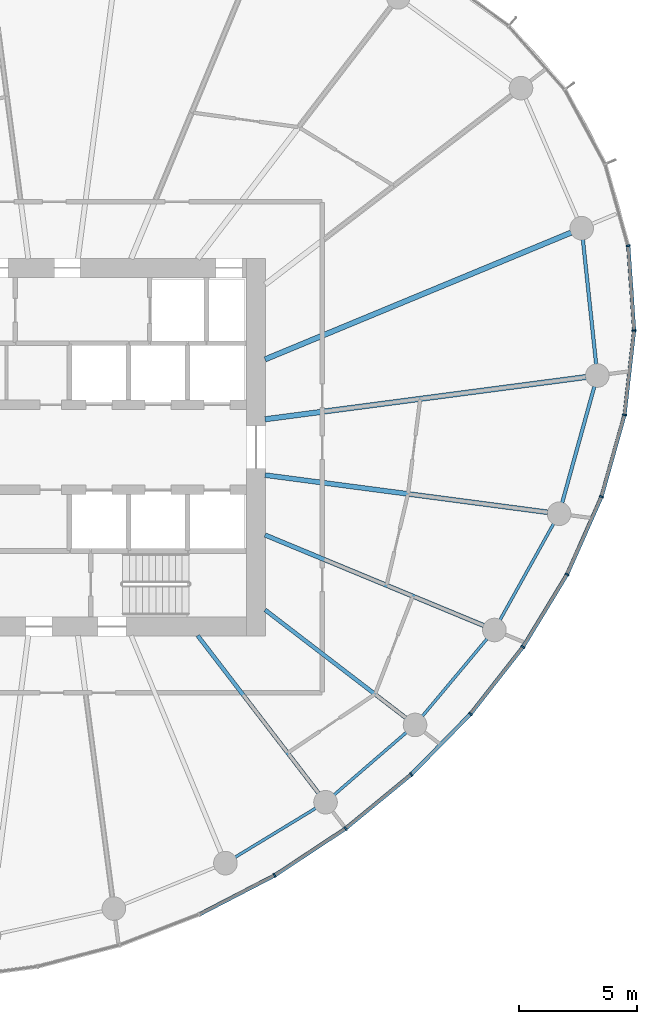
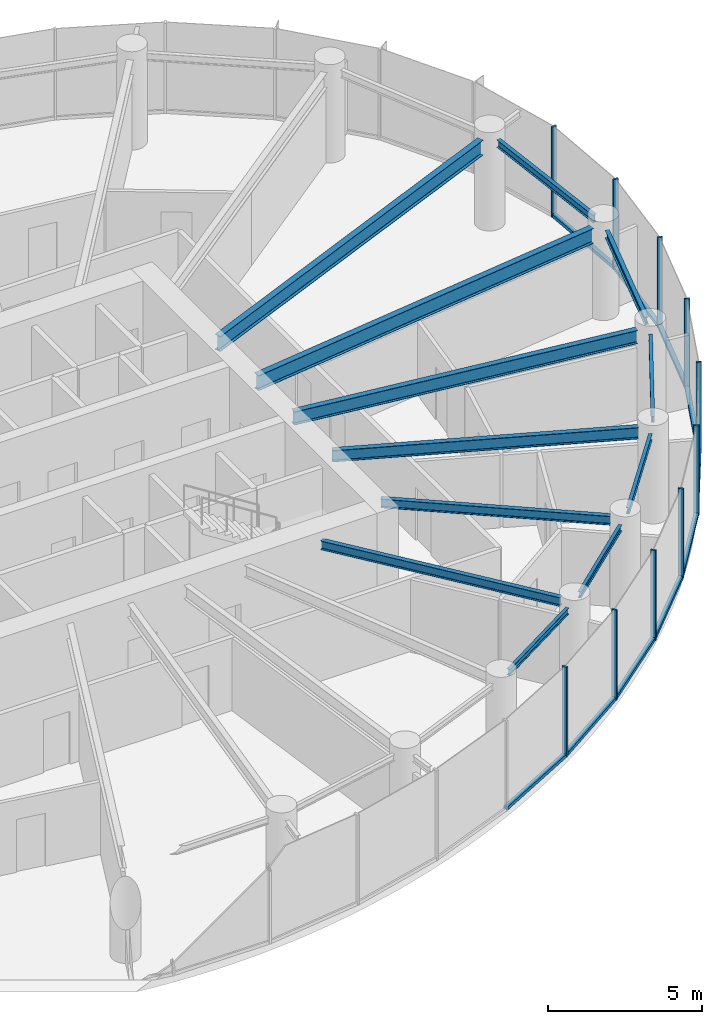
# One storey, part 4 of 15: 20 members, 12 beams, 3 elements without a shape of their own.
"""IFC4 building model written with IfcOpenShell, lengths in metres."""

from ifc_helpers import new_model, si_unit, direction, frame, origin, origin_2d, place, context, subcontext, project, spatial, rectangle, i_section, extrude, source, transform, mapped, material, layer, layer_set, material_profile, profile_set, type_object, element, aggregate, save


model = new_model("IFC4")

# Units and contexts
model_context = context("Model", 3, precision=1e-05, world=origin(), true_north=direction((0.0, 1.0)))
body_context = subcontext(model_context, "Body", "Model", "MODEL_VIEW")
ifc_project = project(units=[si_unit("LENGTHUNIT", "METRE"), si_unit("AREAUNIT", "SQUARE_METRE"), si_unit("VOLUMEUNIT", "CUBIC_METRE"), si_unit("PLANEANGLEUNIT", "RADIAN"), si_unit("MASSUNIT", "GRAM", prefix="KILO")], contexts=[model_context])

# Site, building, storey
site_placement = place(None, origin())
site = spatial("IfcSite", under=ifc_project, at=site_placement, CompositionType="ELEMENT")
building_placement = place(site_placement, origin())
building = spatial("IfcBuilding", under=site, at=building_placement, Name="Spindrift Exchange Tower", CompositionType="ELEMENT")
storey_placement = place(building_placement, frame((0.0, 0.0, 172.10009765625)))
storey = spatial("IfcBuildingStorey", under=building, at=storey_placement, Name="L41", CompositionType="ELEMENT", Elevation=172.10009765625)

# Beams
ifc_material_1 = material(Name="Steel Grade 300", Category="steel")
ifc_material_profile_1 = material_profile(ifc_material_1, i_section(OverallWidth=0.14892578125, OverallDepth=0.298095703125, WebThickness=0.005615234375, FlangeThickness=0.008056640625, FilletRadius=0.012939453125, at=origin_2d()), Name="310UB32.0")
ifc_profile_set_1 = profile_set([ifc_material_profile_1], Name="Steel Grade 300")
beam_type_1 = type_object("IfcBeamType", Name="Edge Beam 310UB32.0 Steel Grade 300", PredefinedType="SPANDREL", material=ifc_profile_set_1)
shared_shape_1 = source(origin(), body_context, "Body", "SweptSolid", [
    extrude(i_section(OverallWidth=0.14892578125, OverallDepth=0.298095703125, WebThickness=0.005615234375, FlangeThickness=0.008056640625, FilletRadius=0.012939453125, at=origin_2d()), origin(), (0.0, 0.0, 1.0), 5.31640625),
])
beam_1_placement = place(storey_placement, frame((75.010986328125, 51.513427734375, 3.430908203125), z_axis=(-0.10598990948, 0.994367205357, 0.0), x_axis=(-0.994367205357, -0.10598990948, 0.0)))
element("IfcBeam", 1, at=beam_1_placement, inside=storey, type_object=beam_type_1, Name="L41 edge beam E01", PredefinedType="SPANDREL", context=body_context, shape_type="MappedRepresentation", body=[
    mapped(shared_shape_1, transform((0.0, 0.0, 0.0), scale=1.0)),
])
ifc_material_profile_2 = material_profile(ifc_material_1, i_section(OverallWidth=0.1240234375, OverallDepth=0.248046875, WebThickness=0.0048828125, FlangeThickness=0.008056640625, FilletRadius=0.011962890625, at=origin_2d()), Name="250UB25.7")
ifc_profile_set_2 = profile_set([ifc_material_profile_2], Name="Steel Grade 300")
beam_type_2 = type_object("IfcBeamType", Name="Edge Beam 250UB25.7 Steel Grade 300", PredefinedType="SPANDREL", material=ifc_profile_set_2)
shared_shape_2 = source(origin(), body_context, "Body", "SweptSolid", [
    extrude(i_section(OverallWidth=0.1240234375, OverallDepth=0.248046875, WebThickness=0.0048828125, FlangeThickness=0.008056640625, FilletRadius=0.011962890625, at=origin_2d()), origin(), (0.0, 0.0, 1.0), 4.00634765625),
])
beam_2_placement = place(storey_placement, frame((59.7109375, 30.623779296875, 3.455810546875), z_axis=(0.854331495603, 0.519728482596, 0.0), x_axis=(-0.519728482596, 0.854331495603, 0.0)))
element("IfcBeam", 2, at=beam_2_placement, inside=storey, type_object=beam_type_2, Name="L41 edge beam E20", PredefinedType="SPANDREL", context=body_context, shape_type="MappedRepresentation", body=[
    mapped(shared_shape_2, transform((0.0, 0.0, 0.0), scale=1.0)),
])
shared_shape_3 = source(origin(), body_context, "Body", "SweptSolid", [
    extrude(i_section(OverallWidth=0.1240234375, OverallDepth=0.248046875, WebThickness=0.0048828125, FlangeThickness=0.008056640625, FilletRadius=0.011962890625, at=origin_2d()), origin(), (0.0, 0.0, 1.0), 4.052001953125),
])
beam_3_placement = place(storey_placement, frame((63.906982421875, 33.269287109375, 3.455810546875), z_axis=(0.756715968535, 0.65374379, 0.0), x_axis=(-0.65374379, 0.756715968535, 0.0)))
element("IfcBeam", 3, at=beam_3_placement, inside=storey, type_object=beam_type_2, Name="L41 edge beam E21", PredefinedType="SPANDREL", context=body_context, shape_type="MappedRepresentation", body=[
    mapped(shared_shape_3, transform((0.0, 0.0, 0.0), scale=1.0)),
])
shared_shape_4 = source(origin(), body_context, "Body", "SweptSolid", [
    extrude(i_section(OverallWidth=0.1240234375, OverallDepth=0.248046875, WebThickness=0.0048828125, FlangeThickness=0.008056640625, FilletRadius=0.011962890625, at=origin_2d()), origin(), (0.0, 0.0, 1.0), 4.282958984375),
])
beam_4_placement = place(storey_placement, frame((67.644287109375, 36.600341796875, 3.455810546875), z_axis=(0.641400288548, 0.767206406289, 0.0), x_axis=(-0.767206406289, 0.641400288548, 0.0)))
element("IfcBeam", 4, at=beam_4_placement, inside=storey, type_object=beam_type_2, Name="L41 edge beam E22", PredefinedType="SPANDREL", context=body_context, shape_type="MappedRepresentation", body=[
    mapped(shared_shape_4, transform((0.0, 0.0, 0.0), scale=1.0)),
])
shared_shape_5 = source(origin(), body_context, "Body", "SweptSolid", [
    extrude(i_section(OverallWidth=0.1240234375, OverallDepth=0.248046875, WebThickness=0.0048828125, FlangeThickness=0.008056640625, FilletRadius=0.011962890625, at=origin_2d()), origin(), (0.0, 0.0, 1.0), 4.6748046875),
])
beam_5_placement = place(storey_placement, frame((70.932861328125, 40.673828125, 3.455810546875), z_axis=(0.486587145143, 0.873632045075, 0.0), x_axis=(-0.873632045075, 0.486587145143, 0.0)))
element("IfcBeam", 5, at=beam_5_placement, inside=storey, type_object=beam_type_2, Name="L41 edge beam E23", PredefinedType="SPANDREL", context=body_context, shape_type="MappedRepresentation", body=[
    mapped(shared_shape_5, transform((0.0, 0.0, 0.0), scale=1.0)),
])
shared_shape_6 = source(origin(), body_context, "Body", "SweptSolid", [
    extrude(i_section(OverallWidth=0.14892578125, OverallDepth=0.298095703125, WebThickness=0.005615234375, FlangeThickness=0.008056640625, FilletRadius=0.012939453125, at=origin_2d()), origin(), (0.0, 0.0, 1.0), 5.118896484375),
])
beam_6_placement = place(storey_placement, frame((73.569091796875, 45.639892578125, 3.430908203125), z_axis=(0.266654866605, 0.963792084485, 0.0), x_axis=(-0.963792084485, 0.266654866605, 0.0)))
element("IfcBeam", 6, at=beam_6_placement, inside=storey, type_object=beam_type_1, Name="L41 edge beam E24", PredefinedType="SPANDREL", context=body_context, shape_type="MappedRepresentation", body=[
    mapped(shared_shape_6, transform((0.0, 0.0, 0.0), scale=1.0)),
])
ifc_material_profile_3 = material_profile(ifc_material_1, i_section(OverallWidth=0.22802734375, OverallDepth=0.60205078125, WebThickness=0.010498046875, FlangeThickness=0.014892578125, FilletRadius=0.013916015625, at=origin_2d()), Name="610UB101")
ifc_profile_set_3 = profile_set([ifc_material_profile_3], Name="Steel Grade 300")
beam_type_3 = type_object("IfcBeamType", Name="Floor Beam 610UB101 Steel Grade 300", PredefinedType="BEAM", material=ifc_profile_set_3)
shared_shape_7 = source(origin(), body_context, "Body", "SweptSolid", [
    extrude(i_section(OverallWidth=0.22802734375, OverallDepth=0.60205078125, WebThickness=0.010498046875, FlangeThickness=0.014892578125, FilletRadius=0.013916015625, at=origin_2d()), origin(), (0.0, 0.0, 1.0), 13.723388671875),
])
beam_7_placement = place(storey_placement, frame((60.980224609375, 49.182373046875, 3.27880859375), z_axis=(0.991447148915, 0.13050881544, 0.0), x_axis=(-0.13050881544, 0.991447148915, 0.0)))
element("IfcBeam", 7, at=beam_7_placement, inside=storey, type_object=beam_type_3, Name="L41 radial beam R01A", PredefinedType="BEAM", context=body_context, shape_type="MappedRepresentation", body=[
    mapped(shared_shape_7, transform((0.0, 0.0, 0.0), scale=1.0)),
])
shared_shape_8 = source(origin(), body_context, "Body", "SweptSolid", [
    extrude(i_section(OverallWidth=0.22802734375, OverallDepth=0.60205078125, WebThickness=0.010498046875, FlangeThickness=0.014892578125, FilletRadius=0.013916015625, at=origin_2d()), origin(), (0.0, 0.0, 1.0), 14.04052734375),
])
beam_8_placement = place(storey_placement, frame((60.9814453125, 51.72021484375, 3.27880859375), z_axis=(0.923879501748, 0.382683506634, 0.0), x_axis=(-0.382683506634, 0.923879501748, 0.0)))
element("IfcBeam", 8, at=beam_8_placement, inside=storey, type_object=beam_type_3, Name="L41 radial beam R02A", PredefinedType="BEAM", context=body_context, shape_type="MappedRepresentation", body=[
    mapped(shared_shape_8, transform((0.0, 0.0, 0.0), scale=1.0)),
])
ifc_material_profile_4 = material_profile(ifc_material_1, i_section(OverallWidth=0.1708984375, OverallDepth=0.35205078125, WebThickness=0.0068359375, FlangeThickness=0.009765625, FilletRadius=0.013916015625, at=origin_2d()), Name="360UB44.7")
ifc_profile_set_4 = profile_set([ifc_material_profile_4], Name="Steel Grade 300")
beam_type_4 = type_object("IfcBeamType", Name="Floor Beam 360UB44.7 Steel Grade 300", PredefinedType="BEAM", material=ifc_profile_set_4)
shared_shape_9 = source(origin(), body_context, "Body", "SweptSolid", [
    extrude(i_section(OverallWidth=0.1708984375, OverallDepth=0.35205078125, WebThickness=0.0068359375, FlangeThickness=0.009765625, FilletRadius=0.013916015625, at=origin_2d()), origin(), (0.0, 0.0, 1.0), 8.419189453125),
])
beam_9_placement = place(storey_placement, frame((58.12646484375, 40.015869140625, 3.40380859375), z_axis=(0.608755970582, -0.79335752866, 0.0), x_axis=(0.79335752866, 0.608755970582, 0.0)))
element("IfcBeam", 9, at=beam_9_placement, inside=storey, type_object=beam_type_4, Name="L41 radial beam R21A", PredefinedType="BEAM", context=body_context, shape_type="MappedRepresentation", body=[
    mapped(shared_shape_9, transform((0.0, 0.0, 0.0), scale=1.0)),
])
shared_shape_10 = source(origin(), body_context, "Body", "SweptSolid", [
    extrude(i_section(OverallWidth=0.1708984375, OverallDepth=0.35205078125, WebThickness=0.0068359375, FlangeThickness=0.009765625, FilletRadius=0.013916015625, at=origin_2d()), origin(), (0.0, 0.0, 1.0), 7.52685546875),
])
beam_10_placement = place(storey_placement, frame((60.984130859375, 41.106201171875, 3.40380859375), z_axis=(0.793354136078, -0.608760391918, 0.0), x_axis=(0.608760391918, 0.793354136078, 0.0)))
element("IfcBeam", 10, at=beam_10_placement, inside=storey, type_object=beam_type_4, Name="L41 radial beam R22A", PredefinedType="BEAM", context=body_context, shape_type="MappedRepresentation", body=[
    mapped(shared_shape_10, transform((0.0, 0.0, 0.0), scale=1.0)),
])
ifc_material_profile_5 = material_profile(ifc_material_1, i_section(OverallWidth=0.18994140625, OverallDepth=0.4541015625, WebThickness=0.008544921875, FlangeThickness=0.0126953125, FilletRadius=0.013916015625, at=origin_2d()), Name="460UB67.1")
ifc_profile_set_5 = profile_set([ifc_material_profile_5], Name="Steel Grade 300")
beam_type_5 = type_object("IfcBeamType", Name="Floor Beam 460UB67.1 Steel Grade 300", PredefinedType="BEAM", material=ifc_profile_set_5)
shared_shape_11 = source(origin(), body_context, "Body", "SweptSolid", [
    extrude(i_section(OverallWidth=0.18994140625, OverallDepth=0.4541015625, WebThickness=0.008544921875, FlangeThickness=0.0126953125, FilletRadius=0.013916015625, at=origin_2d()), origin(), (0.0, 0.0, 1.0), 10.03857421875),
])
beam_11_placement = place(storey_placement, frame((60.9814453125, 44.27978515625, 3.352783203125), z_axis=(0.923880777638, -0.382680426349, 0.0), x_axis=(0.382680426349, 0.923880777638, 0.0)))
element("IfcBeam", 11, at=beam_11_placement, inside=storey, type_object=beam_type_5, Name="L41 radial beam R23A", PredefinedType="BEAM", context=body_context, shape_type="MappedRepresentation", body=[
    mapped(shared_shape_11, transform((0.0, 0.0, 0.0), scale=1.0)),
])
ifc_material_profile_6 = material_profile(ifc_material_1, i_section(OverallWidth=0.208984375, OverallDepth=0.528076171875, WebThickness=0.009521484375, FlangeThickness=0.01318359375, FilletRadius=0.013916015625, at=origin_2d()), Name="530UB82.0")
ifc_profile_set_6 = profile_set([ifc_material_profile_6], Name="Steel Grade 300")
beam_type_6 = type_object("IfcBeamType", Name="Floor Beam 530UB82.0 Steel Grade 300", PredefinedType="BEAM", material=ifc_profile_set_6)
shared_shape_12 = source(origin(), body_context, "Body", "SweptSolid", [
    extrude(i_section(OverallWidth=0.208984375, OverallDepth=0.528076171875, WebThickness=0.009521484375, FlangeThickness=0.01318359375, FilletRadius=0.013916015625, at=origin_2d()), origin(), (0.0, 0.0, 1.0), 12.088134765625),
])
beam_12_placement = place(storey_placement, frame((60.980224609375, 46.817626953125, 3.31591796875), z_axis=(0.991447007302, -0.130509891244, 0.0), x_axis=(0.130509891244, 0.991447007302, 0.0)))
element("IfcBeam", 12, at=beam_12_placement, inside=storey, type_object=beam_type_6, Name="L41 radial beam R24A", PredefinedType="BEAM", context=body_context, shape_type="MappedRepresentation", body=[
    mapped(shared_shape_12, transform((0.0, 0.0, 0.0), scale=1.0)),
])

# Curtain wall, members
ifc_material_2 = material(Name="Fritted laminated glass with bronze frame", Category="glass")
ifc_layer = layer(ifc_material_2, 0.179931640625)
ifc_layer_set = layer_set([ifc_layer], Name="ZONE 3 BRONZE FRITTED WALL")
curtain_wall_type = type_object("IfcCurtainWallType", Name="ZONE 3 BRONZE FRITTED WALL", PredefinedType="NOTDEFINED", material=ifc_layer_set)
curtain_wall_1_placement = place(storey_placement, origin())
curtain_wall_1 = element("IfcCurtainWall", 13, at=curtain_wall_1_placement, inside=storey, type_object=curtain_wall_type, Name="L41 Zone 3 Bronze Fritted Wall run 6", PredefinedType="NOTDEFINED")
ifc_material_3 = material(Name="Bronze anodised aluminium", Category="aluminium")
ifc_material_profile_7 = material_profile(ifc_material_3, rectangle(XDim=0.070068359375, YDim=0.179931640625, at=origin_2d()), Name="ZONE 3 BRONZE FRITTED WALL MULLION 70X180")
ifc_profile_set_7 = profile_set([ifc_material_profile_7], Name="Bronze anodised aluminium")
member_type_1 = type_object("IfcMemberType", Name="ZONE 3 BRONZE FRITTED WALL MULLION 70X180", PredefinedType="MULLION", material=ifc_profile_set_7)
shared_shape_13 = source(origin(), body_context, "Body", "SweptSolid", [
    extrude(rectangle(XDim=0.070068359375, YDim=0.179931640625, at=origin_2d()), origin(), (0.0, 0.0, 1.0), 3.579833984375),
])
member_1_placement = place(storey_placement, frame((61.386962890625, 29.856689453125, 0.0), z_axis=(0.0, 0.0, 1.0), x_axis=(0.862322765332, 0.506359011364, 0.0)))
member_1 = element("IfcMember", 14, at=member_1_placement, type_object=member_type_1, Name="L41 mullion CW-3.31", PredefinedType="MULLION", context=body_context, shape_type="MappedRepresentation", body=[
    mapped(shared_shape_13, transform((0.0, 0.0, 0.0), scale=1.0)),
])
member_2_placement = place(storey_placement, frame((64.3916015625, 31.84130859375, 0.0), z_axis=(0.0, 0.0, 1.0), x_axis=(0.804327421849, 0.594186333116, 0.0)))
member_2 = element("IfcMember", 15, at=member_2_placement, type_object=member_type_1, Name="L41 mullion CW-3.32", PredefinedType="MULLION", context=body_context, shape_type="MappedRepresentation", body=[
    mapped(shared_shape_13, transform((0.0, 0.0, 0.0), scale=1.0)),
])
member_3_placement = place(storey_placement, frame((67.171630859375, 34.1298828125, 0.0), z_axis=(0.0, 0.0, 1.0), x_axis=(0.737002792122, 0.675889698401, 0.0)))
member_3 = element("IfcMember", 16, at=member_3_placement, type_object=member_type_1, Name="L41 mullion CW-3.33", PredefinedType="MULLION", context=body_context, shape_type="MappedRepresentation", body=[
    mapped(shared_shape_13, transform((0.0, 0.0, 0.0), scale=1.0)),
])
member_4_placement = place(storey_placement, frame((69.691650390625, 36.701904296875, 0.0), z_axis=(0.0, 0.0, 1.0), x_axis=(0.659126650301, 0.752031953352, 0.0)))
member_4 = element("IfcMember", 17, at=member_4_placement, type_object=member_type_1, Name="L41 mullion CW-3.34", PredefinedType="MULLION", context=body_context, shape_type="MappedRepresentation", body=[
    mapped(shared_shape_13, transform((0.0, 0.0, 0.0), scale=1.0)),
])
member_5_placement = place(storey_placement, frame((71.910888671875, 39.537109375, 0.0), z_axis=(0.0, 0.0, 1.0), x_axis=(0.568699298794, 0.822545504851, 0.0)))
member_5 = element("IfcMember", 18, at=member_5_placement, type_object=member_type_1, Name="L41 mullion CW-3.35", PredefinedType="MULLION", context=body_context, shape_type="MappedRepresentation", body=[
    mapped(shared_shape_13, transform((0.0, 0.0, 0.0), scale=1.0)),
])
member_6_placement = place(storey_placement, frame((73.77978515625, 42.614501953125, 0.0), z_axis=(0.0, 0.0, 1.0), x_axis=(0.463005088418, 0.886355621689, 0.0)))
member_6 = element("IfcMember", 19, at=member_6_placement, type_object=member_type_1, Name="L41 mullion CW-3.36", PredefinedType="MULLION", context=body_context, shape_type="MappedRepresentation", body=[
    mapped(shared_shape_13, transform((0.0, 0.0, 0.0), scale=1.0)),
])

curtain_wall_2_placement = place(storey_placement, origin())
curtain_wall_2 = element("IfcCurtainWall", 20, at=curtain_wall_2_placement, inside=storey, type_object=curtain_wall_type, Name="L41 Zone 3 Bronze Fritted Wall run 7", PredefinedType="NOTDEFINED")
member_7_placement = place(storey_placement, frame((75.23779296875, 45.90576171875, 0.0), z_axis=(0.0, 0.0, 1.0), x_axis=(0.338742798385, 0.940879012701, 0.0)))
member_7 = element("IfcMember", 21, at=member_7_placement, type_object=member_type_1, Name="L41 mullion CW-3.37", PredefinedType="MULLION", context=body_context, shape_type="MappedRepresentation", body=[
    mapped(shared_shape_13, transform((0.0, 0.0, 0.0), scale=1.0)),
])
member_8_placement = place(storey_placement, frame((76.212158203125, 49.37060546875, 0.0), z_axis=(0.0, 0.0, 1.0), x_axis=(0.192477169944, 0.98130145167, 0.0)))
member_8 = element("IfcMember", 22, at=member_8_placement, type_object=member_type_1, Name="L41 mullion CW-3.38", PredefinedType="MULLION", context=body_context, shape_type="MappedRepresentation", body=[
    mapped(shared_shape_13, transform((0.0, 0.0, 0.0), scale=1.0)),
])
member_9_placement = place(storey_placement, frame((76.61865234375, 52.945556640625, 0.0), z_axis=(0.0, 0.0, 1.0), x_axis=(0.022050252358, 0.999756863628, 0.0)))
member_9 = element("IfcMember", 23, at=member_9_placement, type_object=member_type_1, Name="L41 mullion CW-3.39", PredefinedType="MULLION", context=body_context, shape_type="MappedRepresentation", body=[
    mapped(shared_shape_13, transform((0.0, 0.0, 0.0), scale=1.0)),
])
member_10_placement = place(storey_placement, frame((76.3701171875, 56.533935546875, 0.0), z_axis=(0.0, 0.0, 1.0), x_axis=(-0.17048739617, 0.98535985698, 0.0)))
member_10 = element("IfcMember", 24, at=member_10_placement, type_object=member_type_1, Name="L41 mullion CW-3.40", PredefinedType="MULLION", context=body_context, shape_type="MappedRepresentation", body=[
    mapped(shared_shape_13, transform((0.0, 0.0, 0.0), scale=1.0)),
])

# Curtain wall, member
curtain_wall_3_placement = place(storey_placement, origin())
curtain_wall_3 = element("IfcCurtainWall", 25, at=curtain_wall_3_placement, inside=storey, type_object=curtain_wall_type, Name="L41 Zone 3 Bronze Fritted Wall run 5", PredefinedType="NOTDEFINED")
ifc_material_profile_8 = material_profile(ifc_material_3, rectangle(XDim=0.159912109375, YDim=0.1298828125, at=origin_2d()), Name="ZONE 3 BRONZE FRITTED WALL TRANSOM 160X130")
ifc_profile_set_8 = profile_set([ifc_material_profile_8], Name="Bronze anodised aluminium")
member_type_2 = type_object("IfcMemberType", Name="ZONE 3 BRONZE FRITTED WALL TRANSOM 160X130", PredefinedType="USERDEFINED", material=ifc_profile_set_8)
shared_shape_14 = source(origin(), body_context, "Body", "SweptSolid", [
    extrude(rectangle(XDim=0.159912109375, YDim=0.1298828125, at=origin_2d()), origin(), (0.0, 0.0, 1.0), 3.53076171875),
])
member_11_placement = place(storey_placement, frame((58.22119140625, 28.2158203125, 0.06494140625), z_axis=(0.887833008453, 0.460165784366, 0.0), x_axis=(-0.460165784366, 0.887833008453, 0.0)))
member_11 = element("IfcMember", 26, at=member_11_placement, type_object=member_type_2, Name="L41 transom CW-3.30", ObjectType="TRANSOM", PredefinedType="USERDEFINED", context=body_context, shape_type="MappedRepresentation", body=[
    mapped(shared_shape_14, transform((0.0, 0.0, 0.0), scale=1.0)),
])
aggregate(curtain_wall_3, [member_11])

# Member
member_12_placement = place(storey_placement, frame((61.416259765625, 29.8759765625, 0.06494140625), z_axis=(0.834393810583, 0.551168729938, 0.0), x_axis=(-0.551168729938, 0.834393810583, 0.0)))
member_12 = element("IfcMember", 27, at=member_12_placement, type_object=member_type_2, Name="L41 transom CW-3.31", ObjectType="TRANSOM", PredefinedType="USERDEFINED", context=body_context, shape_type="MappedRepresentation", body=[
    mapped(shared_shape_14, transform((0.0, 0.0, 0.0), scale=1.0)),
])

member_13_placement = place(storey_placement, frame((64.418701171875, 31.863525390625, 0.06494140625), z_axis=(0.772022042875, 0.635595756212, 0.0), x_axis=(-0.635595756212, 0.772022042875, 0.0)))
member_13 = element("IfcMember", 28, at=member_13_placement, type_object=member_type_2, Name="L41 transom CW-3.32", ObjectType="TRANSOM", PredefinedType="USERDEFINED", context=body_context, shape_type="MappedRepresentation", body=[
    mapped(shared_shape_14, transform((0.0, 0.0, 0.0), scale=1.0)),
])

member_14_placement = place(storey_placement, frame((67.196044921875, 34.15478515625, 0.06494140625), z_axis=(0.699879201936, 0.714261228611, 0.0), x_axis=(-0.714261228611, 0.699879201936, 0.0)))
member_14 = element("IfcMember", 29, at=member_14_placement, type_object=member_type_2, Name="L41 transom CW-3.33", ObjectType="TRANSOM", PredefinedType="USERDEFINED", context=body_context, shape_type="MappedRepresentation", body=[
    mapped(shared_shape_14, transform((0.0, 0.0, 0.0), scale=1.0)),
])

shared_shape_15 = source(origin(), body_context, "Body", "SweptSolid", [
    extrude(rectangle(XDim=0.159912109375, YDim=0.1298828125, at=origin_2d()), origin(), (0.0, 0.0, 1.0), 3.5302734375),
])
member_15_placement = place(storey_placement, frame((71.928955078125, 39.567138671875, 0.06494140625), z_axis=(0.519095432678, 0.854716287298, 0.0), x_axis=(-0.854716287298, 0.519095432678, 0.0)))
member_15 = element("IfcMember", 30, at=member_15_placement, type_object=member_type_2, Name="L41 transom CW-3.35", ObjectType="TRANSOM", PredefinedType="USERDEFINED", context=body_context, shape_type="MappedRepresentation", body=[
    mapped(shared_shape_15, transform((0.0, 0.0, 0.0), scale=1.0)),
])

shared_shape_16 = source(origin(), body_context, "Body", "SweptSolid", [
    extrude(rectangle(XDim=0.159912109375, YDim=0.1298828125, at=origin_2d()), origin(), (0.0, 0.0, 1.0), 3.529296875),
])
member_16_placement = place(storey_placement, frame((75.2470703125, 45.939453125, 0.06494140625), z_axis=(0.270753590019, 0.962648686433, 0.0), x_axis=(-0.962648686433, 0.270753590019, 0.0)))
member_16 = element("IfcMember", 31, at=member_16_placement, type_object=member_type_2, Name="L41 transom CW-3.37", ObjectType="TRANSOM", PredefinedType="USERDEFINED", context=body_context, shape_type="MappedRepresentation", body=[
    mapped(shared_shape_16, transform((0.0, 0.0, 0.0), scale=1.0)),
])

shared_shape_17 = source(origin(), body_context, "Body", "SweptSolid", [
    extrude(rectangle(XDim=0.159912109375, YDim=0.1298828125, at=origin_2d()), origin(), (0.0, 0.0, 1.0), 3.530517578125),
])
member_17_placement = place(storey_placement, frame((69.71337890625, 36.729248046875, 0.06494140625), z_axis=(0.616336229427, 0.787483112388, 0.0), x_axis=(-0.787483112388, 0.616336229427, 0.0)))
member_17 = element("IfcMember", 32, at=member_17_placement, type_object=member_type_2, Name="L41 transom CW-3.34", ObjectType="TRANSOM", PredefinedType="USERDEFINED", context=body_context, shape_type="MappedRepresentation", body=[
    mapped(shared_shape_17, transform((0.0, 0.0, 0.0), scale=1.0)),
])

shared_shape_18 = source(origin(), body_context, "Body", "SweptSolid", [
    extrude(rectangle(XDim=0.159912109375, YDim=0.1298828125, at=origin_2d()), origin(), (0.0, 0.0, 1.0), 3.527099609375),
])
member_18_placement = place(storey_placement, frame((76.6162109375, 52.98046875, 0.06494140625), z_axis=(-0.069082412881, 0.997610956351, 0.0), x_axis=(-0.997610956351, -0.069082412881, 0.0)))
member_18 = element("IfcMember", 33, at=member_18_placement, type_object=member_type_2, Name="L41 transom CW-3.39", ObjectType="TRANSOM", PredefinedType="USERDEFINED", context=body_context, shape_type="MappedRepresentation", body=[
    mapped(shared_shape_18, transform((0.0, 0.0, 0.0), scale=1.0)),
])

shared_shape_19 = source(origin(), body_context, "Body", "SweptSolid", [
    extrude(rectangle(XDim=0.159912109375, YDim=0.1298828125, at=origin_2d()), origin(), (0.0, 0.0, 1.0), 3.5283203125),
])
member_19_placement = place(storey_placement, frame((76.216064453125, 49.4052734375, 0.06494140625), z_axis=(0.112998185957, 0.993595194217, 0.0), x_axis=(-0.993595194217, 0.112998185957, 0.0)))
member_19 = element("IfcMember", 34, at=member_19_placement, type_object=member_type_2, Name="L41 transom CW-3.38", ObjectType="TRANSOM", PredefinedType="USERDEFINED", context=body_context, shape_type="MappedRepresentation", body=[
    mapped(shared_shape_19, transform((0.0, 0.0, 0.0), scale=1.0)),
])

aggregate(curtain_wall_2, [member_7, member_16, member_8, member_19, member_9, member_18, member_10])

shared_shape_20 = source(origin(), body_context, "Body", "SweptSolid", [
    extrude(rectangle(XDim=0.159912109375, YDim=0.1298828125, at=origin_2d()), origin(), (0.0, 0.0, 1.0), 3.52978515625),
])
member_20_placement = place(storey_placement, frame((73.7939453125, 42.646484375, 0.06494140625), z_axis=(0.405034370676, 0.914301459351, 0.0), x_axis=(-0.914301459351, 0.405034370676, 0.0)))
member_20 = element("IfcMember", 35, at=member_20_placement, type_object=member_type_2, Name="L41 transom CW-3.36", ObjectType="TRANSOM", PredefinedType="USERDEFINED", context=body_context, shape_type="MappedRepresentation", body=[
    mapped(shared_shape_20, transform((0.0, 0.0, 0.0), scale=1.0)),
])

aggregate(curtain_wall_1, [member_1, member_12, member_2, member_13, member_3, member_14, member_4, member_17, member_5, member_15, member_6, member_20])

save(model, "model.ifc")
